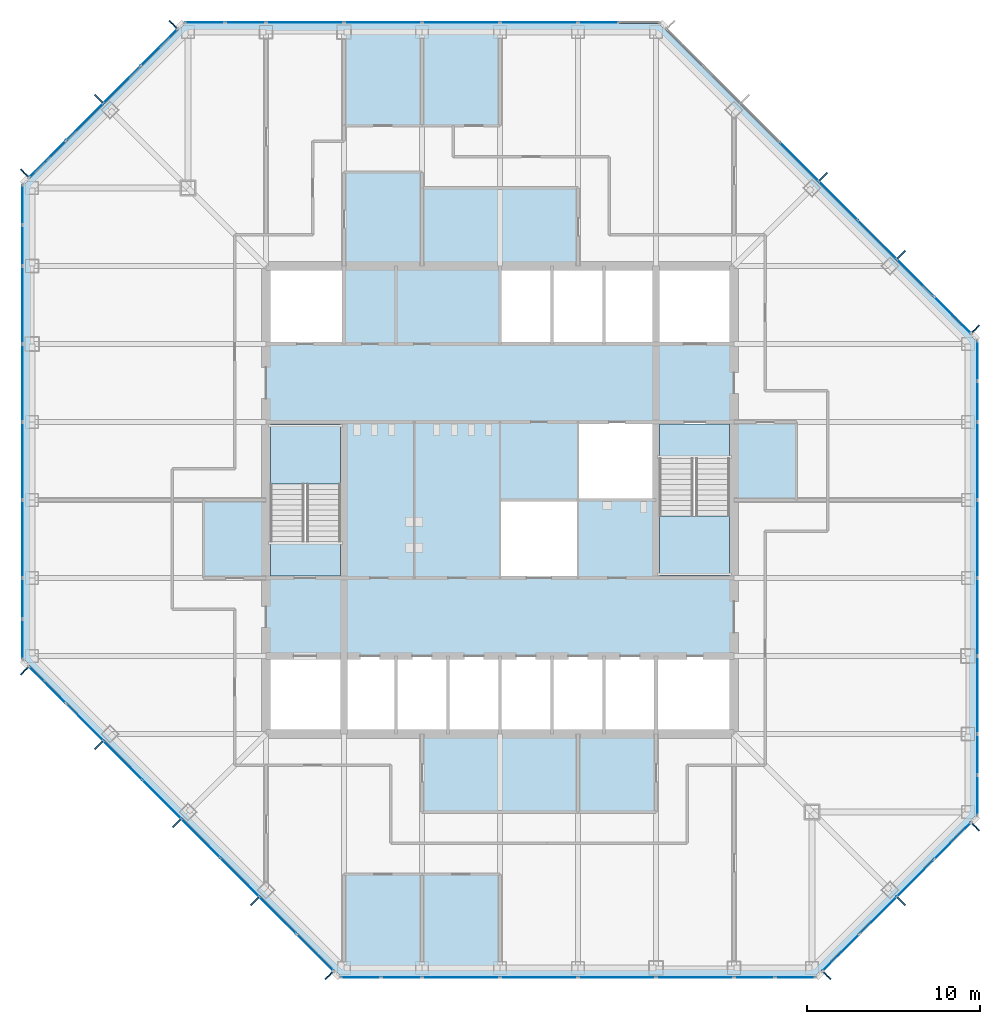
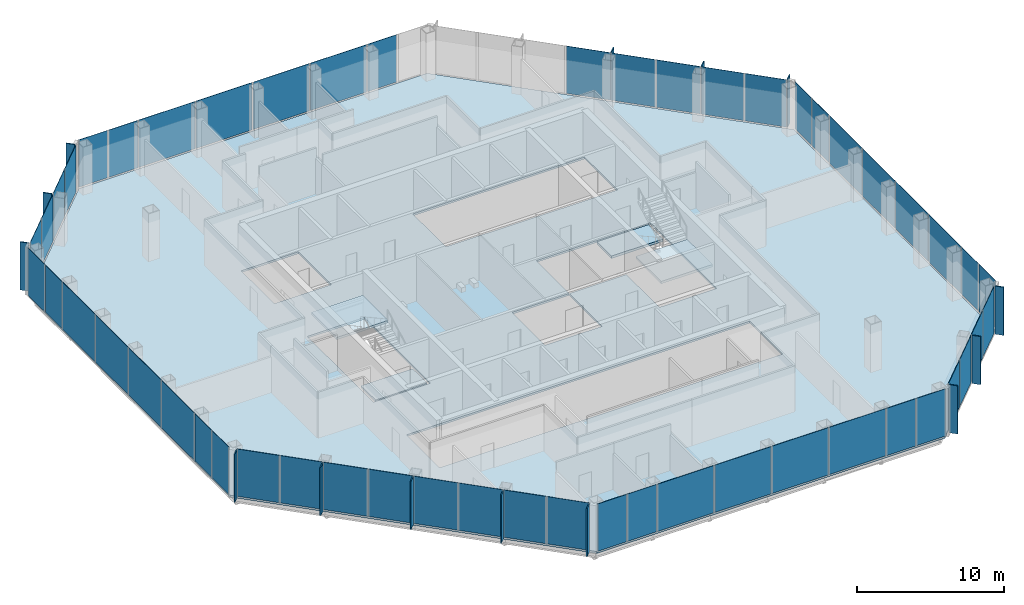
# One storey, part 7 of 13: 66 plates, 5 slabs, 10 elements without a shape of their own.
"""IFC4 building model written with IfcOpenShell, lengths in metres."""

from ifc_helpers import new_model, si_unit, direction, frame, origin, origin_2d, place, context, subcontext, project, spatial, polyline, rectangle, outline, extrude, material, layer, layer_set, type_object, element, aggregate, save


model = new_model("IFC4")

# Units and contexts
model_context = context("Model", 3, precision=1e-05, world=origin(), true_north=direction((0.0, 1.0)))
body_context = subcontext(model_context, "Body", "Model", "MODEL_VIEW")
ifc_project = project(units=[si_unit("LENGTHUNIT", "METRE"), si_unit("AREAUNIT", "SQUARE_METRE"), si_unit("VOLUMEUNIT", "CUBIC_METRE"), si_unit("PLANEANGLEUNIT", "RADIAN"), si_unit("MASSUNIT", "GRAM", prefix="KILO")], contexts=[model_context])

# Site, building, storey
site_placement = place(None, origin())
site = spatial("IfcSite", under=ifc_project, at=site_placement, CompositionType="ELEMENT")
building_placement = place(site_placement, origin())
building = spatial("IfcBuilding", under=site, at=building_placement, Name="Corais Broadcast Tower", CompositionType="ELEMENT")
storey_placement = place(building_placement, frame((0.0, 0.0, 119.60009765625)))
storey = spatial("IfcBuildingStorey", under=building, at=storey_placement, Name="L26", CompositionType="ELEMENT", Elevation=119.60009765625)

# Slab
ifc_material_1 = material(Name="Concrete C30/37", Category="concrete")
ifc_layer_1 = layer(ifc_material_1, 0.159912109375)
ifc_layer_set_1 = layer_set([ifc_layer_1], Name="Concrete C30/37")
slab_type_1 = type_object("IfcSlabType", Name="Composite floor slab 160", PredefinedType="FLOOR", material=ifc_layer_set_1)
slab_1_placement = place(storey_placement, frame((0.0, 0.0, -0.16015625)))
element("IfcSlab", 1, at=slab_1_placement, inside=storey, type_object=slab_type_1, Name="S160 floor slab L26", PredefinedType="FLOOR", context=body_context, shape_type="SweptSolid", body=[
    extrude(outline(polyline([(17.80126953125, -0.47998046875), (-0.47998046875, 17.80126953125), (-0.47998046875, 45.19873046875), (8.80126953125, 54.47998046875), (36.19873046875, 54.47998046875), (54.47998046875, 36.19873046875), (54.47998046875, 8.80126953125), (45.19873046875, -0.47998046875), (17.80126953125, -0.47998046875)]), holes=[polyline([(13.5, 18.0), (40.5, 18.0), (40.5, 13.5), (13.5, 13.5), (13.5, 18.0)]), polyline([(18.0, 22.5), (13.5, 22.5), (13.5, 31.5), (18.0, 31.5), (18.0, 22.5)]), polyline([(18.0, 36.0), (13.5, 36.0), (13.5, 40.5), (18.0, 40.5), (18.0, 36.0)]), polyline([(31.5, 22.5), (27.0, 22.5), (27.0, 27.0), (31.4951171875, 27.0), (31.4951171875, 27.0048828125), (31.5, 27.0048828125), (31.5, 31.5), (40.5, 31.5), (40.5, 22.5), (36.0, 22.5), (36.0, 27.0), (31.5048828125, 27.0), (31.5048828125, 26.9951171875), (31.5, 26.9951171875), (31.5, 22.5)]), polyline([(27.0, 40.5), (40.5, 40.5), (40.5, 36.0), (27.0, 36.0), (27.0, 40.5)])]), origin(), (0.0, 0.0, 1.0), 0.16015625),
])

# Curtain wall, plates
ifc_material_2 = material(Name="Aluminium and glass", Category="aluminium")
curtain_wall_type = type_object("IfcCurtainWallType", Name="Unitised fritted curtain wall CW2", PredefinedType="NOTDEFINED", material=ifc_material_2)
curtain_wall_1_placement = place(storey_placement, origin())
curtain_wall_1 = element("IfcCurtainWall", 2, at=curtain_wall_1_placement, inside=storey, type_object=curtain_wall_type, Name="CW2 curtain wall L26 1", PredefinedType="NOTDEFINED")
ifc_material_3 = material(Name="Ceramic-fritted laminated glass", Category="glass")
ifc_layer_2 = layer(ifc_material_3, 0.028076171875)
ifc_layer_set_2 = layer_set([ifc_layer_2], Name="Ceramic-fritted laminated glass")
plate_type_1 = type_object("IfcPlateType", Name="Fritted glass panel CW2", PredefinedType="CURTAIN_PANEL", material=ifc_layer_set_2)
plate_1_placement = place(storey_placement, frame((16.330322265625, 0.891845703125, 0.06494140625), z_axis=(0.0, 0.0, 1.0), x_axis=(-0.707106781187, 0.707106781187, 0.0)))
plate_1 = element("IfcPlate", 3, at=plate_1_placement, type_object=plate_type_1, Name="CW2 panel 1", PredefinedType="CURTAIN_PANEL", context=body_context, shape_type="SweptSolid", body=[
    extrude(rectangle(XDim=2.9482421875, YDim=0.028076171875, at=origin_2d()), origin(), (0.0, 0.0, 1.0), 3.93505859375),
])
plate_2_placement = place(storey_placement, frame((11.986083984375, 5.236083984375, 0.06494140625), z_axis=(0.0, 0.0, 1.0), x_axis=(-0.707106781187, 0.707106781187, 0.0)))
plate_2 = element("IfcPlate", 4, at=plate_2_placement, type_object=plate_type_1, Name="CW2 panel 3", PredefinedType="CURTAIN_PANEL", context=body_context, shape_type="SweptSolid", body=[
    extrude(rectangle(XDim=3.116943359375, YDim=0.028076171875, at=origin_2d()), origin(), (0.0, 0.0, 1.0), 3.93505859375),
])
plate_3_placement = place(storey_placement, frame((7.486083984375, 9.736083984375, 0.06494140625), z_axis=(0.0, 0.0, 1.0), x_axis=(-0.707106781187, 0.707106781187, 0.0)))
plate_3 = element("IfcPlate", 5, at=plate_3_placement, type_object=plate_type_1, Name="CW2 panel 5", PredefinedType="CURTAIN_PANEL", context=body_context, shape_type="SweptSolid", body=[
    extrude(rectangle(XDim=3.116943359375, YDim=0.028076171875, at=origin_2d()), origin(), (0.0, 0.0, 1.0), 3.93505859375),
])
plate_4_placement = place(storey_placement, frame((3.0341796875, 14.18798828125, 0.06494140625), z_axis=(0.0, 0.0, 1.0), x_axis=(-0.707106781187, 0.707106781187, 0.0)))
plate_4 = element("IfcPlate", 6, at=plate_4_placement, type_object=plate_type_1, Name="CW2 panel 7", PredefinedType="CURTAIN_PANEL", context=body_context, shape_type="SweptSolid", body=[
    extrude(rectangle(XDim=2.98095703125, YDim=0.028076171875, at=origin_2d()), origin(), (0.0, 0.0, 1.0), 3.93505859375),
])

curtain_wall_2_placement = place(storey_placement, origin())
curtain_wall_2 = element("IfcCurtainWall", 7, at=curtain_wall_2_placement, inside=storey, type_object=curtain_wall_type, Name="CW2 curtain wall L26 2", PredefinedType="NOTDEFINED")
plate_5_placement = place(storey_placement, frame((-0.550048828125, 18.970458984375, 0.06494140625), z_axis=(0.0, 0.0, 1.0), x_axis=(0.0, 1.0, 0.0)))
plate_5 = element("IfcPlate", 8, at=plate_5_placement, type_object=plate_type_1, Name="CW2 panel 1", PredefinedType="CURTAIN_PANEL", context=body_context, shape_type="SweptSolid", body=[
    extrude(rectangle(XDim=2.266357421875, YDim=0.028076171875, at=origin_2d()), origin(), (0.0, 0.0, 1.0), 3.93505859375),
])
plate_6_placement = place(storey_placement, frame((-0.550048828125, 24.75, 0.06494140625), z_axis=(0.0, 0.0, 1.0), x_axis=(0.0, 1.0, 0.0)))
plate_6 = element("IfcPlate", 9, at=plate_6_placement, type_object=plate_type_1, Name="CW2 panel 3", PredefinedType="CURTAIN_PANEL", context=body_context, shape_type="SweptSolid", body=[
    extrude(rectangle(XDim=4.43505859375, YDim=0.028076171875, at=origin_2d()), origin(), (0.0, 0.0, 1.0), 3.93505859375),
])
plate_7_placement = place(storey_placement, frame((-0.550048828125, 33.75, 0.06494140625), z_axis=(0.0, 0.0, 1.0), x_axis=(0.0, 1.0, 0.0)))
plate_7 = element("IfcPlate", 10, at=plate_7_placement, type_object=plate_type_1, Name="CW2 panel 5", PredefinedType="CURTAIN_PANEL", context=body_context, shape_type="SweptSolid", body=[
    extrude(rectangle(XDim=4.43505859375, YDim=0.028076171875, at=origin_2d()), origin(), (0.0, 0.0, 1.0), 3.93505859375),
])
plate_8_placement = place(storey_placement, frame((-0.550048828125, 41.681884765625, 0.06494140625), z_axis=(0.0, 0.0, 1.0), x_axis=(0.0, 1.0, 0.0)))
plate_8 = element("IfcPlate", 11, at=plate_8_placement, type_object=plate_type_1, Name="CW2 panel 7", PredefinedType="CURTAIN_PANEL", context=body_context, shape_type="SweptSolid", body=[
    extrude(rectangle(XDim=2.298828125, YDim=0.028076171875, at=origin_2d()), origin(), (0.0, 0.0, 1.0), 3.93505859375),
])

curtain_wall_3_placement = place(storey_placement, origin())
curtain_wall_3 = element("IfcCurtainWall", 12, at=curtain_wall_3_placement, inside=storey, type_object=curtain_wall_type, Name="CW2 curtain wall L26 3", PredefinedType="NOTDEFINED")
plate_9_placement = place(storey_placement, frame((0.891845703125, 46.669677734375, 0.06494140625), z_axis=(0.0, 0.0, 1.0), x_axis=(0.707106781187, 0.707106781187, 0.0)))
plate_9 = element("IfcPlate", 13, at=plate_9_placement, type_object=plate_type_1, Name="CW2 panel 1", PredefinedType="CURTAIN_PANEL", context=body_context, shape_type="SweptSolid", body=[
    extrude(rectangle(XDim=2.9482421875, YDim=0.028076171875, at=origin_2d()), origin(), (0.0, 0.0, 1.0), 3.93505859375),
])
plate_10_placement = place(storey_placement, frame((5.18798828125, 50.9658203125, 0.06494140625), z_axis=(0.0, 0.0, 1.0), x_axis=(0.707106781187, 0.707106781187, 0.0)))
plate_10 = element("IfcPlate", 14, at=plate_10_placement, type_object=plate_type_1, Name="CW2 panel 3", PredefinedType="CURTAIN_PANEL", context=body_context, shape_type="SweptSolid", body=[
    extrude(rectangle(XDim=2.98095703125, YDim=0.028076171875, at=origin_2d()), origin(), (0.0, 0.0, 1.0), 3.93505859375),
])

curtain_wall_4_placement = place(storey_placement, origin())
curtain_wall_4 = element("IfcCurtainWall", 15, at=curtain_wall_4_placement, inside=storey, type_object=curtain_wall_type, Name="CW2 curtain wall L26 4", PredefinedType="NOTDEFINED")
plate_11_placement = place(storey_placement, frame((9.970458984375, 54.550048828125, 0.06494140625), z_axis=(0.0, 0.0, 1.0), x_axis=(1.0, 0.0, 0.0)))
plate_11 = element("IfcPlate", 16, at=plate_11_placement, type_object=plate_type_1, Name="CW2 panel 1", PredefinedType="CURTAIN_PANEL", context=body_context, shape_type="SweptSolid", body=[
    extrude(rectangle(XDim=2.266357421875, YDim=0.028076171875, at=origin_2d()), origin(), (0.0, 0.0, 1.0), 3.93505859375),
])
plate_12_placement = place(storey_placement, frame((15.75, 54.550048828125, 0.06494140625), z_axis=(0.0, 0.0, 1.0), x_axis=(1.0, 0.0, 0.0)))
plate_12 = element("IfcPlate", 17, at=plate_12_placement, type_object=plate_type_1, Name="CW2 panel 3", PredefinedType="CURTAIN_PANEL", context=body_context, shape_type="SweptSolid", body=[
    extrude(rectangle(XDim=4.43505859375, YDim=0.028076171875, at=origin_2d()), origin(), (0.0, 0.0, 1.0), 3.93505859375),
])
plate_13_placement = place(storey_placement, frame((24.75, 54.550048828125, 0.06494140625), z_axis=(0.0, 0.0, 1.0), x_axis=(1.0, 0.0, 0.0)))
plate_13 = element("IfcPlate", 18, at=plate_13_placement, type_object=plate_type_1, Name="CW2 panel 5", PredefinedType="CURTAIN_PANEL", context=body_context, shape_type="SweptSolid", body=[
    extrude(rectangle(XDim=4.43505859375, YDim=0.028076171875, at=origin_2d()), origin(), (0.0, 0.0, 1.0), 3.93505859375),
])
plate_14_placement = place(storey_placement, frame((32.681884765625, 54.550048828125, 0.06494140625), z_axis=(0.0, 0.0, 1.0), x_axis=(1.0, 0.0, 0.0)))
plate_14 = element("IfcPlate", 19, at=plate_14_placement, type_object=plate_type_1, Name="CW2 panel 7", PredefinedType="CURTAIN_PANEL", context=body_context, shape_type="SweptSolid", body=[
    extrude(rectangle(XDim=2.298828125, YDim=0.028076171875, at=origin_2d()), origin(), (0.0, 0.0, 1.0), 3.93505859375),
])

curtain_wall_5_placement = place(storey_placement, origin())
curtain_wall_5 = element("IfcCurtainWall", 20, at=curtain_wall_5_placement, inside=storey, type_object=curtain_wall_type, Name="CW2 curtain wall L26 5", PredefinedType="NOTDEFINED")
plate_15_placement = place(storey_placement, frame((46.513916015625, 44.263916015625, 0.06494140625), z_axis=(0.0, 0.0, 1.0), x_axis=(0.707106781187, -0.707106781187, 0.0)))
plate_15 = element("IfcPlate", 21, at=plate_15_placement, type_object=plate_type_1, Name="CW2 panel 5", PredefinedType="CURTAIN_PANEL", context=body_context, shape_type="SweptSolid", body=[
    extrude(rectangle(XDim=3.116943359375, YDim=0.028076171875, at=origin_2d()), origin(), (0.0, 0.0, 1.0), 3.93505859375),
])
plate_16_placement = place(storey_placement, frame((50.9658203125, 39.81201171875, 0.06494140625), z_axis=(0.0, 0.0, 1.0), x_axis=(0.707106781187, -0.707106781187, 0.0)))
plate_16 = element("IfcPlate", 22, at=plate_16_placement, type_object=plate_type_1, Name="CW2 panel 7", PredefinedType="CURTAIN_PANEL", context=body_context, shape_type="SweptSolid", body=[
    extrude(rectangle(XDim=2.98095703125, YDim=0.028076171875, at=origin_2d()), origin(), (0.0, 0.0, 1.0), 3.93505859375),
])

curtain_wall_6_placement = place(storey_placement, origin())
curtain_wall_6 = element("IfcCurtainWall", 23, at=curtain_wall_6_placement, inside=storey, type_object=curtain_wall_type, Name="CW2 curtain wall L26 6", PredefinedType="NOTDEFINED")
plate_17_placement = place(storey_placement, frame((54.550048828125, 35.029541015625, 0.06494140625), z_axis=(0.0, 0.0, 1.0), x_axis=(0.0, -1.0, 0.0)))
plate_17 = element("IfcPlate", 24, at=plate_17_placement, type_object=plate_type_1, Name="CW2 panel 1", PredefinedType="CURTAIN_PANEL", context=body_context, shape_type="SweptSolid", body=[
    extrude(rectangle(XDim=2.266357421875, YDim=0.028076171875, at=origin_2d()), origin(), (0.0, 0.0, 1.0), 3.93505859375),
])
plate_18_placement = place(storey_placement, frame((54.550048828125, 29.25, 0.06494140625), z_axis=(0.0, 0.0, 1.0), x_axis=(0.0, -1.0, 0.0)))
plate_18 = element("IfcPlate", 25, at=plate_18_placement, type_object=plate_type_1, Name="CW2 panel 3", PredefinedType="CURTAIN_PANEL", context=body_context, shape_type="SweptSolid", body=[
    extrude(rectangle(XDim=4.43505859375, YDim=0.028076171875, at=origin_2d()), origin(), (0.0, 0.0, 1.0), 3.93505859375),
])
plate_19_placement = place(storey_placement, frame((54.550048828125, 20.25, 0.06494140625), z_axis=(0.0, 0.0, 1.0), x_axis=(0.0, -1.0, 0.0)))
plate_19 = element("IfcPlate", 26, at=plate_19_placement, type_object=plate_type_1, Name="CW2 panel 5", PredefinedType="CURTAIN_PANEL", context=body_context, shape_type="SweptSolid", body=[
    extrude(rectangle(XDim=4.43505859375, YDim=0.028076171875, at=origin_2d()), origin(), (0.0, 0.0, 1.0), 3.93505859375),
])
plate_20_placement = place(storey_placement, frame((54.550048828125, 12.318115234375, 0.06494140625), z_axis=(0.0, 0.0, 1.0), x_axis=(0.0, -1.0, 0.0)))
plate_20 = element("IfcPlate", 27, at=plate_20_placement, type_object=plate_type_1, Name="CW2 panel 7", PredefinedType="CURTAIN_PANEL", context=body_context, shape_type="SweptSolid", body=[
    extrude(rectangle(XDim=2.298828125, YDim=0.028076171875, at=origin_2d()), origin(), (0.0, 0.0, 1.0), 3.93505859375),
])

curtain_wall_7_placement = place(storey_placement, origin())
curtain_wall_7 = element("IfcCurtainWall", 28, at=curtain_wall_7_placement, inside=storey, type_object=curtain_wall_type, Name="CW2 curtain wall L26 7", PredefinedType="NOTDEFINED")
plate_21_placement = place(storey_placement, frame((53.108154296875, 7.330322265625, 0.06494140625), z_axis=(0.0, 0.0, 1.0), x_axis=(-0.707106781187, -0.707106781187, 0.0)))
plate_21 = element("IfcPlate", 29, at=plate_21_placement, type_object=plate_type_1, Name="CW2 panel 1", PredefinedType="CURTAIN_PANEL", context=body_context, shape_type="SweptSolid", body=[
    extrude(rectangle(XDim=2.9482421875, YDim=0.028076171875, at=origin_2d()), origin(), (0.0, 0.0, 1.0), 3.93505859375),
])
plate_22_placement = place(storey_placement, frame((48.81201171875, 3.0341796875, 0.06494140625), z_axis=(0.0, 0.0, 1.0), x_axis=(-0.707106781187, -0.707106781187, 0.0)))
plate_22 = element("IfcPlate", 30, at=plate_22_placement, type_object=plate_type_1, Name="CW2 panel 3", PredefinedType="CURTAIN_PANEL", context=body_context, shape_type="SweptSolid", body=[
    extrude(rectangle(XDim=2.98095703125, YDim=0.028076171875, at=origin_2d()), origin(), (0.0, 0.0, 1.0), 3.93505859375),
])

curtain_wall_8_placement = place(storey_placement, origin())
curtain_wall_8 = element("IfcCurtainWall", 31, at=curtain_wall_8_placement, inside=storey, type_object=curtain_wall_type, Name="CW2 curtain wall L26 8", PredefinedType="NOTDEFINED")
plate_23_placement = place(storey_placement, frame((44.029541015625, -0.550048828125, 0.06494140625), z_axis=(0.0, 0.0, 1.0), x_axis=(-1.0, 0.0, 0.0)))
plate_23 = element("IfcPlate", 32, at=plate_23_placement, type_object=plate_type_1, Name="CW2 panel 1", PredefinedType="CURTAIN_PANEL", context=body_context, shape_type="SweptSolid", body=[
    extrude(rectangle(XDim=2.266357421875, YDim=0.028076171875, at=origin_2d()), origin(), (0.0, 0.0, 1.0), 3.93505859375),
])
plate_24_placement = place(storey_placement, frame((38.25, -0.550048828125, 0.06494140625), z_axis=(0.0, 0.0, 1.0), x_axis=(-1.0, 0.0, 0.0)))
plate_24 = element("IfcPlate", 33, at=plate_24_placement, type_object=plate_type_1, Name="CW2 panel 3", PredefinedType="CURTAIN_PANEL", context=body_context, shape_type="SweptSolid", body=[
    extrude(rectangle(XDim=4.43505859375, YDim=0.028076171875, at=origin_2d()), origin(), (0.0, 0.0, 1.0), 3.93505859375),
])
plate_25_placement = place(storey_placement, frame((29.25, -0.550048828125, 0.06494140625), z_axis=(0.0, 0.0, 1.0), x_axis=(-1.0, 0.0, 0.0)))
plate_25 = element("IfcPlate", 34, at=plate_25_placement, type_object=plate_type_1, Name="CW2 panel 5", PredefinedType="CURTAIN_PANEL", context=body_context, shape_type="SweptSolid", body=[
    extrude(rectangle(XDim=4.43505859375, YDim=0.028076171875, at=origin_2d()), origin(), (0.0, 0.0, 1.0), 3.93505859375),
])
plate_26_placement = place(storey_placement, frame((21.318115234375, -0.550048828125, 0.06494140625), z_axis=(0.0, 0.0, 1.0), x_axis=(-1.0, 0.0, 0.0)))
plate_26 = element("IfcPlate", 35, at=plate_26_placement, type_object=plate_type_1, Name="CW2 panel 7", PredefinedType="CURTAIN_PANEL", context=body_context, shape_type="SweptSolid", body=[
    extrude(rectangle(XDim=2.298828125, YDim=0.028076171875, at=origin_2d()), origin(), (0.0, 0.0, 1.0), 3.93505859375),
])

# Plate
ifc_material_4 = material(Name="Clear laminated glass", Category="glass")
ifc_layer_3 = layer(ifc_material_4, 0.031982421875)
ifc_layer_set_3 = layer_set([ifc_layer_3], Name="Clear laminated glass")
plate_type_2 = type_object("IfcPlateType", Name="Operable glass panel CW2", PredefinedType="CURTAIN_PANEL", material=ifc_layer_set_3)
plate_27_placement = place(storey_placement, frame((14.18798828125, 3.0341796875, 0.06494140625), z_axis=(0.0, 0.0, 1.0), x_axis=(-0.707106781187, 0.707106781187, 0.0)))
plate_27 = element("IfcPlate", 36, at=plate_27_placement, type_object=plate_type_2, Name="CW2 operable panel 2", PredefinedType="CURTAIN_PANEL", context=body_context, shape_type="SweptSolid", body=[
    extrude(rectangle(XDim=2.98095703125, YDim=0.031982421875, at=origin_2d()), origin(), (0.0, 0.0, 1.0), 3.93505859375),
])

plate_28_placement = place(storey_placement, frame((9.736083984375, 7.486083984375, 0.06494140625), z_axis=(0.0, 0.0, 1.0), x_axis=(-0.707106781187, 0.707106781187, 0.0)))
plate_28 = element("IfcPlate", 37, at=plate_28_placement, type_object=plate_type_2, Name="CW2 operable panel 4", PredefinedType="CURTAIN_PANEL", context=body_context, shape_type="SweptSolid", body=[
    extrude(rectangle(XDim=3.116943359375, YDim=0.031982421875, at=origin_2d()), origin(), (0.0, 0.0, 1.0), 3.93505859375),
])

plate_29_placement = place(storey_placement, frame((5.236083984375, 11.986083984375, 0.06494140625), z_axis=(0.0, 0.0, 1.0), x_axis=(-0.707106781187, 0.707106781187, 0.0)))
plate_29 = element("IfcPlate", 38, at=plate_29_placement, type_object=plate_type_2, Name="CW2 operable panel 6", PredefinedType="CURTAIN_PANEL", context=body_context, shape_type="SweptSolid", body=[
    extrude(rectangle(XDim=3.116943359375, YDim=0.031982421875, at=origin_2d()), origin(), (0.0, 0.0, 1.0), 3.93505859375),
])

plate_30_placement = place(storey_placement, frame((0.89208984375, 16.330322265625, 0.06494140625), z_axis=(0.0, 0.0, 1.0), x_axis=(-0.707106781187, 0.707106781187, 0.0)))
plate_30 = element("IfcPlate", 39, at=plate_30_placement, type_object=plate_type_2, Name="CW2 operable panel 8", PredefinedType="CURTAIN_PANEL", context=body_context, shape_type="SweptSolid", body=[
    extrude(rectangle(XDim=2.948486328125, YDim=0.031982421875, at=origin_2d()), origin(), (0.0, 0.0, 1.0), 3.93505859375),
])

aggregate(curtain_wall_1, [plate_1, plate_27, plate_2, plate_28, plate_3, plate_29, plate_4, plate_30])

plate_31_placement = place(storey_placement, frame((-0.550048828125, 21.318115234375, 0.06494140625), z_axis=(0.0, 0.0, 1.0), x_axis=(0.0, 1.0, 0.0)))
plate_31 = element("IfcPlate", 40, at=plate_31_placement, type_object=plate_type_2, Name="CW2 operable panel 2", PredefinedType="CURTAIN_PANEL", context=body_context, shape_type="SweptSolid", body=[
    extrude(rectangle(XDim=2.298828125, YDim=0.031982421875, at=origin_2d()), origin(), (0.0, 0.0, 1.0), 3.93505859375),
])

plate_32_placement = place(storey_placement, frame((-0.550048828125, 29.25, 0.06494140625), z_axis=(0.0, 0.0, 1.0), x_axis=(0.0, 1.0, 0.0)))
plate_32 = element("IfcPlate", 41, at=plate_32_placement, type_object=plate_type_2, Name="CW2 operable panel 4", PredefinedType="CURTAIN_PANEL", context=body_context, shape_type="SweptSolid", body=[
    extrude(rectangle(XDim=4.43505859375, YDim=0.031982421875, at=origin_2d()), origin(), (0.0, 0.0, 1.0), 3.93505859375),
])

plate_33_placement = place(storey_placement, frame((-0.550048828125, 38.25, 0.06494140625), z_axis=(0.0, 0.0, 1.0), x_axis=(0.0, 1.0, 0.0)))
plate_33 = element("IfcPlate", 42, at=plate_33_placement, type_object=plate_type_2, Name="CW2 operable panel 6", PredefinedType="CURTAIN_PANEL", context=body_context, shape_type="SweptSolid", body=[
    extrude(rectangle(XDim=4.43505859375, YDim=0.031982421875, at=origin_2d()), origin(), (0.0, 0.0, 1.0), 3.93505859375),
])

plate_34_placement = place(storey_placement, frame((-0.550048828125, 44.029541015625, 0.06494140625), z_axis=(0.0, 0.0, 1.0), x_axis=(0.0, 1.0, 0.0)))
plate_34 = element("IfcPlate", 43, at=plate_34_placement, type_object=plate_type_2, Name="CW2 operable panel 8", PredefinedType="CURTAIN_PANEL", context=body_context, shape_type="SweptSolid", body=[
    extrude(rectangle(XDim=2.266357421875, YDim=0.031982421875, at=origin_2d()), origin(), (0.0, 0.0, 1.0), 3.93505859375),
])

aggregate(curtain_wall_2, [plate_5, plate_31, plate_6, plate_32, plate_7, plate_33, plate_8, plate_34])

plate_35_placement = place(storey_placement, frame((3.0341796875, 48.81201171875, 0.06494140625), z_axis=(0.0, 0.0, 1.0), x_axis=(0.707106781187, 0.707106781187, 0.0)))
plate_35 = element("IfcPlate", 44, at=plate_35_placement, type_object=plate_type_2, Name="CW2 operable panel 2", PredefinedType="CURTAIN_PANEL", context=body_context, shape_type="SweptSolid", body=[
    extrude(rectangle(XDim=2.98095703125, YDim=0.031982421875, at=origin_2d()), origin(), (0.0, 0.0, 1.0), 3.93505859375),
])

plate_36_placement = place(storey_placement, frame((7.330322265625, 53.10791015625, 0.06494140625), z_axis=(0.0, 0.0, 1.0), x_axis=(0.707106781187, 0.707106781187, 0.0)))
plate_36 = element("IfcPlate", 45, at=plate_36_placement, type_object=plate_type_2, Name="CW2 operable panel 4", PredefinedType="CURTAIN_PANEL", context=body_context, shape_type="SweptSolid", body=[
    extrude(rectangle(XDim=2.948486328125, YDim=0.031982421875, at=origin_2d()), origin(), (0.0, 0.0, 1.0), 3.93505859375),
])

aggregate(curtain_wall_3, [plate_9, plate_35, plate_10, plate_36])

plate_37_placement = place(storey_placement, frame((12.318115234375, 54.550048828125, 0.06494140625), z_axis=(0.0, 0.0, 1.0), x_axis=(1.0, 0.0, 0.0)))
plate_37 = element("IfcPlate", 46, at=plate_37_placement, type_object=plate_type_2, Name="CW2 operable panel 2", PredefinedType="CURTAIN_PANEL", context=body_context, shape_type="SweptSolid", body=[
    extrude(rectangle(XDim=2.298828125, YDim=0.031982421875, at=origin_2d()), origin(), (0.0, 0.0, 1.0), 3.93505859375),
])

plate_38_placement = place(storey_placement, frame((20.25, 54.550048828125, 0.06494140625), z_axis=(0.0, 0.0, 1.0), x_axis=(1.0, 0.0, 0.0)))
plate_38 = element("IfcPlate", 47, at=plate_38_placement, type_object=plate_type_2, Name="CW2 operable panel 4", PredefinedType="CURTAIN_PANEL", context=body_context, shape_type="SweptSolid", body=[
    extrude(rectangle(XDim=4.43505859375, YDim=0.031982421875, at=origin_2d()), origin(), (0.0, 0.0, 1.0), 3.93505859375),
])

plate_39_placement = place(storey_placement, frame((29.25, 54.550048828125, 0.06494140625), z_axis=(0.0, 0.0, 1.0), x_axis=(1.0, 0.0, 0.0)))
plate_39 = element("IfcPlate", 48, at=plate_39_placement, type_object=plate_type_2, Name="CW2 operable panel 6", PredefinedType="CURTAIN_PANEL", context=body_context, shape_type="SweptSolid", body=[
    extrude(rectangle(XDim=4.43505859375, YDim=0.031982421875, at=origin_2d()), origin(), (0.0, 0.0, 1.0), 3.93505859375),
])

aggregate(curtain_wall_4, [plate_11, plate_37, plate_12, plate_38, plate_13, plate_39, plate_14])

plate_40_placement = place(storey_placement, frame((44.263916015625, 46.513916015625, 0.06494140625), z_axis=(0.0, 0.0, 1.0), x_axis=(0.707106781187, -0.707106781187, 0.0)))
plate_40 = element("IfcPlate", 49, at=plate_40_placement, type_object=plate_type_2, Name="CW2 operable panel 4", PredefinedType="CURTAIN_PANEL", context=body_context, shape_type="SweptSolid", body=[
    extrude(rectangle(XDim=3.116943359375, YDim=0.031982421875, at=origin_2d()), origin(), (0.0, 0.0, 1.0), 3.93505859375),
])

plate_41_placement = place(storey_placement, frame((48.763916015625, 42.013916015625, 0.06494140625), z_axis=(0.0, 0.0, 1.0), x_axis=(0.707106781187, -0.707106781187, 0.0)))
plate_41 = element("IfcPlate", 50, at=plate_41_placement, type_object=plate_type_2, Name="CW2 operable panel 6", PredefinedType="CURTAIN_PANEL", context=body_context, shape_type="SweptSolid", body=[
    extrude(rectangle(XDim=3.116943359375, YDim=0.031982421875, at=origin_2d()), origin(), (0.0, 0.0, 1.0), 3.93505859375),
])

plate_42_placement = place(storey_placement, frame((53.10791015625, 37.669677734375, 0.06494140625), z_axis=(0.0, 0.0, 1.0), x_axis=(0.707106781187, -0.707106781187, 0.0)))
plate_42 = element("IfcPlate", 51, at=plate_42_placement, type_object=plate_type_2, Name="CW2 operable panel 8", PredefinedType="CURTAIN_PANEL", context=body_context, shape_type="SweptSolid", body=[
    extrude(rectangle(XDim=2.948486328125, YDim=0.031982421875, at=origin_2d()), origin(), (0.0, 0.0, 1.0), 3.93505859375),
])

aggregate(curtain_wall_5, [plate_40, plate_15, plate_41, plate_16, plate_42])

plate_43_placement = place(storey_placement, frame((54.550048828125, 32.681884765625, 0.06494140625), z_axis=(0.0, 0.0, 1.0), x_axis=(0.0, -1.0, 0.0)))
plate_43 = element("IfcPlate", 52, at=plate_43_placement, type_object=plate_type_2, Name="CW2 operable panel 2", PredefinedType="CURTAIN_PANEL", context=body_context, shape_type="SweptSolid", body=[
    extrude(rectangle(XDim=2.298828125, YDim=0.031982421875, at=origin_2d()), origin(), (0.0, 0.0, 1.0), 3.93505859375),
])

plate_44_placement = place(storey_placement, frame((54.550048828125, 24.75, 0.06494140625), z_axis=(0.0, 0.0, 1.0), x_axis=(0.0, -1.0, 0.0)))
plate_44 = element("IfcPlate", 53, at=plate_44_placement, type_object=plate_type_2, Name="CW2 operable panel 4", PredefinedType="CURTAIN_PANEL", context=body_context, shape_type="SweptSolid", body=[
    extrude(rectangle(XDim=4.43505859375, YDim=0.031982421875, at=origin_2d()), origin(), (0.0, 0.0, 1.0), 3.93505859375),
])

plate_45_placement = place(storey_placement, frame((54.550048828125, 15.75, 0.06494140625), z_axis=(0.0, 0.0, 1.0), x_axis=(0.0, -1.0, 0.0)))
plate_45 = element("IfcPlate", 54, at=plate_45_placement, type_object=plate_type_2, Name="CW2 operable panel 6", PredefinedType="CURTAIN_PANEL", context=body_context, shape_type="SweptSolid", body=[
    extrude(rectangle(XDim=4.43505859375, YDim=0.031982421875, at=origin_2d()), origin(), (0.0, 0.0, 1.0), 3.93505859375),
])

plate_46_placement = place(storey_placement, frame((54.550048828125, 9.970458984375, 0.06494140625), z_axis=(0.0, 0.0, 1.0), x_axis=(0.0, -1.0, 0.0)))
plate_46 = element("IfcPlate", 55, at=plate_46_placement, type_object=plate_type_2, Name="CW2 operable panel 8", PredefinedType="CURTAIN_PANEL", context=body_context, shape_type="SweptSolid", body=[
    extrude(rectangle(XDim=2.266357421875, YDim=0.031982421875, at=origin_2d()), origin(), (0.0, 0.0, 1.0), 3.93505859375),
])

aggregate(curtain_wall_6, [plate_17, plate_43, plate_18, plate_44, plate_19, plate_45, plate_20, plate_46])

plate_47_placement = place(storey_placement, frame((50.9658203125, 5.18798828125, 0.06494140625), z_axis=(0.0, 0.0, 1.0), x_axis=(-0.707106781187, -0.707106781187, 0.0)))
plate_47 = element("IfcPlate", 56, at=plate_47_placement, type_object=plate_type_2, Name="CW2 operable panel 2", PredefinedType="CURTAIN_PANEL", context=body_context, shape_type="SweptSolid", body=[
    extrude(rectangle(XDim=2.98095703125, YDim=0.031982421875, at=origin_2d()), origin(), (0.0, 0.0, 1.0), 3.93505859375),
])

plate_48_placement = place(storey_placement, frame((46.669677734375, 0.89208984375, 0.06494140625), z_axis=(0.0, 0.0, 1.0), x_axis=(-0.707106781187, -0.707106781187, 0.0)))
plate_48 = element("IfcPlate", 57, at=plate_48_placement, type_object=plate_type_2, Name="CW2 operable panel 4", PredefinedType="CURTAIN_PANEL", context=body_context, shape_type="SweptSolid", body=[
    extrude(rectangle(XDim=2.948486328125, YDim=0.031982421875, at=origin_2d()), origin(), (0.0, 0.0, 1.0), 3.93505859375),
])

aggregate(curtain_wall_7, [plate_21, plate_47, plate_22, plate_48])

plate_49_placement = place(storey_placement, frame((41.681884765625, -0.550048828125, 0.06494140625), z_axis=(0.0, 0.0, 1.0), x_axis=(-1.0, 0.0, 0.0)))
plate_49 = element("IfcPlate", 58, at=plate_49_placement, type_object=plate_type_2, Name="CW2 operable panel 2", PredefinedType="CURTAIN_PANEL", context=body_context, shape_type="SweptSolid", body=[
    extrude(rectangle(XDim=2.298828125, YDim=0.031982421875, at=origin_2d()), origin(), (0.0, 0.0, 1.0), 3.93505859375),
])

plate_50_placement = place(storey_placement, frame((33.75, -0.550048828125, 0.06494140625), z_axis=(0.0, 0.0, 1.0), x_axis=(-1.0, 0.0, 0.0)))
plate_50 = element("IfcPlate", 59, at=plate_50_placement, type_object=plate_type_2, Name="CW2 operable panel 4", PredefinedType="CURTAIN_PANEL", context=body_context, shape_type="SweptSolid", body=[
    extrude(rectangle(XDim=4.43505859375, YDim=0.031982421875, at=origin_2d()), origin(), (0.0, 0.0, 1.0), 3.93505859375),
])

plate_51_placement = place(storey_placement, frame((24.75, -0.550048828125, 0.06494140625), z_axis=(0.0, 0.0, 1.0), x_axis=(-1.0, 0.0, 0.0)))
plate_51 = element("IfcPlate", 60, at=plate_51_placement, type_object=plate_type_2, Name="CW2 operable panel 6", PredefinedType="CURTAIN_PANEL", context=body_context, shape_type="SweptSolid", body=[
    extrude(rectangle(XDim=4.43505859375, YDim=0.031982421875, at=origin_2d()), origin(), (0.0, 0.0, 1.0), 3.93505859375),
])

plate_52_placement = place(storey_placement, frame((18.970458984375, -0.550048828125, 0.06494140625), z_axis=(0.0, 0.0, 1.0), x_axis=(-1.0, 0.0, 0.0)))
plate_52 = element("IfcPlate", 61, at=plate_52_placement, type_object=plate_type_2, Name="CW2 operable panel 8", PredefinedType="CURTAIN_PANEL", context=body_context, shape_type="SweptSolid", body=[
    extrude(rectangle(XDim=2.266357421875, YDim=0.031982421875, at=origin_2d()), origin(), (0.0, 0.0, 1.0), 3.93505859375),
])

aggregate(curtain_wall_8, [plate_23, plate_49, plate_24, plate_50, plate_25, plate_51, plate_26, plate_52])

# Stair, slabs
ifc_material_5 = material(Name="Concrete C30/37", Category="concrete")
stair_type = type_object("IfcStairType", Name="Half-turn stair 4000", PredefinedType="HALF_TURN_STAIR", material=ifc_material_5)
stair_1_placement = place(storey_placement, origin())
stair_1 = element("IfcStair", 62, at=stair_1_placement, inside=storey, type_object=stair_type, Name="Stair A L26", PredefinedType="HALF_TURN_STAIR")
ifc_material_6 = material(Name="Concrete C30/37", Category="concrete")
ifc_layer_4 = layer(ifc_material_6, 0.199951171875)
ifc_layer_set_4 = layer_set([ifc_layer_4], Name="Concrete C30/37")
slab_type_2 = type_object("IfcSlabType", Name="Stair landing 200", PredefinedType="LANDING", material=ifc_layer_set_4)
slab_2_placement = place(storey_placement, frame((0.0, 0.0, -0.2001953125)))
slab_2 = element("IfcSlab", 63, at=slab_2_placement, type_object=slab_type_2, Name="STA landing 1", PredefinedType="LANDING", context=body_context, shape_type="SweptSolid", body=[
    extrude(outline(polyline([(13.75, 22.625), (17.800048828125, 22.625), (17.800048828125, 24.60009765625), (13.75, 24.60009765625), (13.75, 22.625)])), origin(), (0.0, 0.0, 1.0), 0.2001953125),
])
slab_3_placement = place(storey_placement, frame((0.0, 0.0, 1.7998046875)))
slab_3 = element("IfcSlab", 64, at=slab_3_placement, type_object=slab_type_2, Name="STA landing 2", PredefinedType="LANDING", context=body_context, shape_type="SweptSolid", body=[
    extrude(outline(polyline([(13.75, 27.922119140625), (17.800048828125, 27.922119140625), (17.800048828125, 31.375), (13.75, 31.375), (13.75, 27.922119140625)])), origin(), (0.0, 0.0, 1.0), 0.2001953125),
])
aggregate(stair_1, [slab_2, slab_3])

stair_2_placement = place(storey_placement, origin())
stair_2 = element("IfcStair", 65, at=stair_2_placement, inside=storey, type_object=stair_type, Name="Stair B L26", PredefinedType="HALF_TURN_STAIR")
slab_4_placement = place(storey_placement, frame((0.0, 0.0, -0.2001953125)))
slab_4 = element("IfcSlab", 66, at=slab_4_placement, type_object=slab_type_2, Name="STB landing 1", PredefinedType="LANDING", context=body_context, shape_type="SweptSolid", body=[
    extrude(outline(polyline([(36.199951171875, 29.39990234375), (40.25, 29.39990234375), (40.25, 31.375), (36.199951171875, 31.375), (36.199951171875, 29.39990234375)])), origin(), (0.0, 0.0, 1.0), 0.2001953125),
])
slab_5_placement = place(storey_placement, frame((0.0, 0.0, 1.7998046875)))
slab_5 = element("IfcSlab", 67, at=slab_5_placement, type_object=slab_type_2, Name="STB landing 2", PredefinedType="LANDING", context=body_context, shape_type="SweptSolid", body=[
    extrude(outline(polyline([(36.199951171875, 22.625), (40.25, 22.625), (40.25, 26.077880859375), (36.199951171875, 26.077880859375), (36.199951171875, 22.625)])), origin(), (0.0, 0.0, 1.0), 0.2001953125),
])
aggregate(stair_2, [slab_4, slab_5])

# Plates
ifc_material_7 = material(Name="Granite stone cladding", Category="masonry")
ifc_layer_5 = layer(ifc_material_7, 0.080078125)
ifc_layer_set_5 = layer_set([ifc_layer_5], Name="Granite stone cladding")
plate_type_3 = type_object("IfcPlateType", Name="Stone screen fin 80x600", PredefinedType="USERDEFINED", material=ifc_layer_set_5)
for number, where, z_axis, x_axis, name in (
    (68, (17.1220703125, -0.447021484375, 0.0), (0.0, 0.0, 1.0), (-0.707106781187, 0.707106781187, 0.0), "SF1 stone screen fin L26"),
    (69, (12.83740234375, 3.83740234375, 0.0), (0.0, 0.0, 1.0), (-0.707106781187, 0.707106781187, 0.0), "SF1 stone screen fin L26"),
    (70, (8.33740234375, 8.33740234375, 0.0), (0.0, 0.0, 1.0), (-0.707106781187, 0.707106781187, 0.0), "SF1 stone screen fin L26"),
    (71, (3.83740234375, 12.83740234375, 0.0), (0.0, 0.0, 1.0), (-0.707106781187, 0.707106781187, 0.0), "SF1 stone screen fin L26"),
    (72, (-0.447021484375, 17.1220703125, 0.0), (0.0, 0.0, 1.0), (-0.707106781187, 0.707106781187, 0.0), "SF1 stone screen fin L26"),
    (73, (-0.447021484375, 45.8779296875, 0.0), (0.0, 0.0, 1.0), (0.707106781187, 0.707106781187, 0.0), "SF1 stone screen fin L26"),
    (74, (3.83740234375, 50.16259765625, 0.0), (0.0, 0.0, 1.0), (0.707106781187, 0.707106781187, 0.0), "SF1 stone screen fin L26"),
    (75, (8.1220703125, 54.447021484375, 0.0), (0.0, 0.0, 1.0), (0.707106781187, 0.707106781187, 0.0), "SF1 stone screen fin L26"),
    (76, (45.66259765625, 45.66259765625, 0.0), (0.0, 0.0, 1.0), (0.707106781187, -0.707106781187, 0.0), "SF1 stone screen fin L26"),
    (77, (50.16259765625, 41.16259765625, 0.0), (0.0, 0.0, 1.0), (0.707106781187, -0.707106781187, 0.0), "SF1 stone screen fin L26"),
    (78, (54.447021484375, 36.8779296875, 0.0), (0.0, 0.0, 1.0), (0.707106781187, -0.707106781187, 0.0), "SF1 stone screen fin L26"),
    (79, (54.447021484375, 8.1220703125, 0.0), (0.0, 0.0, 1.0), (-0.707106781187, -0.707106781187, 0.0), "SF1 stone screen fin L26"),
    (80, (50.16259765625, 3.83740234375, 0.0), (0.0, 0.0, 1.0), (-0.707106781187, -0.707106781187, 0.0), "SF1 stone screen fin L26"),
    (81, (45.8779296875, -0.447021484375, 0.0), (0.0, 0.0, 1.0), (-0.707106781187, -0.707106781187, 0.0), "SF1 stone screen fin L26"),
):
    element("IfcPlate", number, at=place(storey_placement, frame(where, z_axis=z_axis, x_axis=x_axis)), inside=storey, type_object=plate_type_3, Name=name, ObjectType="STONE SCREEN FIN", PredefinedType="USERDEFINED", context=body_context, shape_type="SweptSolid", body=[
        extrude(rectangle(XDim=0.080078125, YDim=0.60009765625, at=origin_2d()), origin(), (0.0, 0.0, 1.0), 4.0),
    ])

save(model, "model.ifc")
